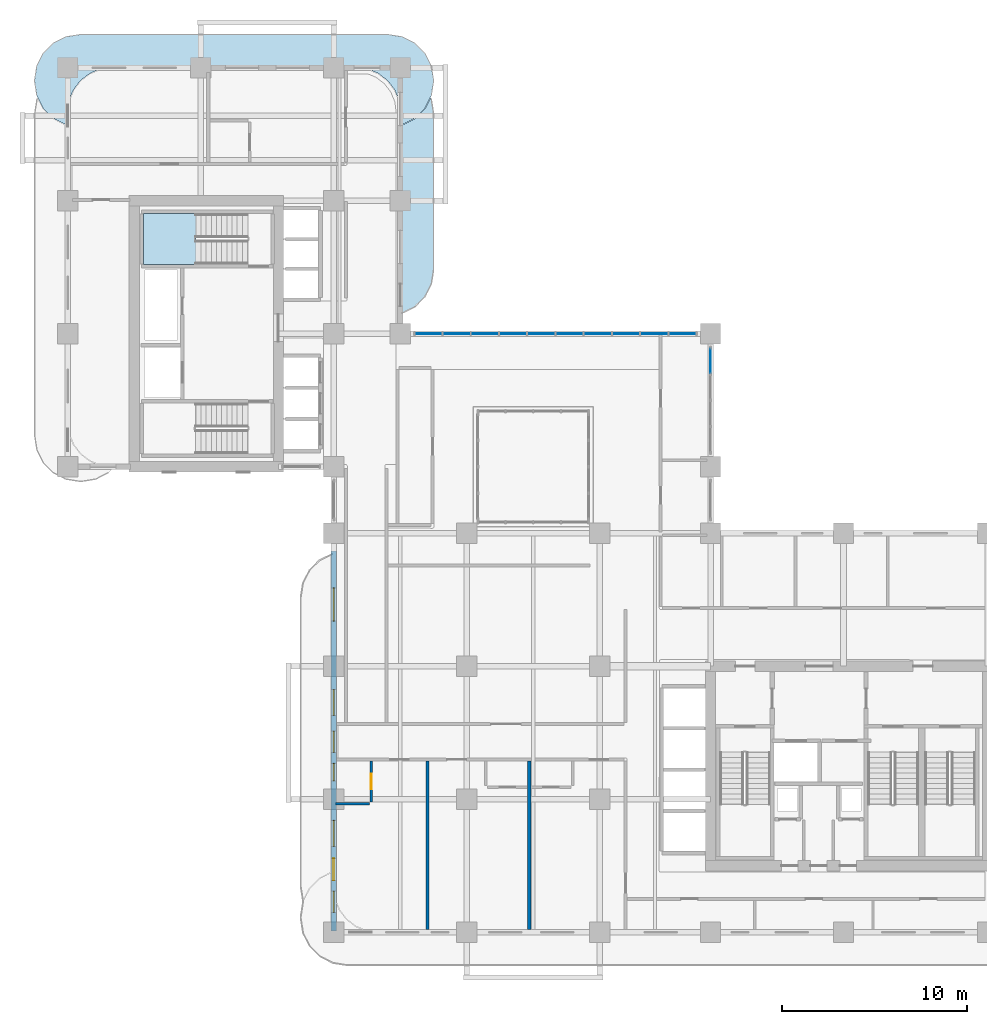
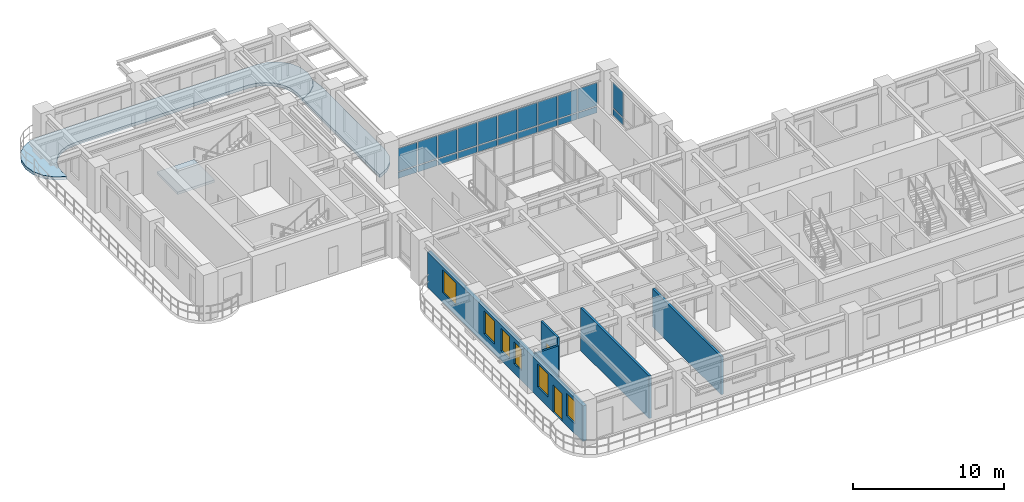
# One storey, part 11 of 22: 22 plates, 6 windows, 5 walls, 3 slabs, 2 doors, 8 openings, 3 elements without a shape of their own.
"""IFC4 building model written with IfcOpenShell, lengths in metres."""

from ifc_helpers import new_model, si_unit, derived_unit, direction, frame, frame_2d, origin, origin_2d, place, context, subcontext, project, spatial, polyline, rectangle, outline, extrude, source, transform, mapped, material, layer, layer_set, type_object, type_shapes, element, fill, aggregate, save


model = new_model("IFC4")

# Units and contexts
model_context = context("Model", 3, precision=1e-05, world=origin(), true_north=direction((0.0, 1.0)))
body_context = subcontext(model_context, "Body", "Model", "MODEL_VIEW")
ifc_project = project(units=[si_unit("LENGTHUNIT", "METRE"), si_unit("AREAUNIT", "SQUARE_METRE"), si_unit("VOLUMEUNIT", "CUBIC_METRE"), si_unit("PLANEANGLEUNIT", "RADIAN"), si_unit("MASSUNIT", "GRAM", prefix="KILO"), si_unit("THERMODYNAMICTEMPERATUREUNIT", "KELVIN"), si_unit("POWERUNIT", "WATT"), derived_unit("THERMALTRANSMITTANCEUNIT", [(si_unit("POWERUNIT", "WATT"), 1), (si_unit("AREAUNIT", "SQUARE_METRE"), -1), (si_unit("THERMODYNAMICTEMPERATUREUNIT", "KELVIN"), -1)])], contexts=[model_context])

# Site, building, storey
site_placement = place(None, origin())
site = spatial("IfcSite", under=ifc_project, at=site_placement, CompositionType="ELEMENT")
building_placement = place(site_placement, origin())
building = spatial("IfcBuilding", under=site, at=building_placement, Name="Zahravan Archway Hotel and Residences", CompositionType="ELEMENT")
storey_placement = place(building_placement, frame((0.0, 0.0, 80.5)))
storey = spatial("IfcBuildingStorey", under=building, at=storey_placement, Name="L19", CompositionType="ELEMENT", Elevation=80.5)

# Slabs
ifc_material_1 = material(Name="Concrete C45/55", Category="concrete")
ifc_layer_1 = layer(ifc_material_1, 0.25, Name="Concrete C45/55", Category="concrete")
ifc_layer_set_1 = layer_set([ifc_layer_1], Name="Concrete C45/55")
slab_type_1 = type_object("IfcSlabType", Name="SLB-BALC-250", PredefinedType="FLOOR", material=ifc_layer_set_1)
slab_1_placement = place(storey_placement, frame((0.0, 0.0, -0.25)))
element("IfcSlab", 1, at=slab_1_placement, inside=storey, type_object=slab_type_1, Name="L19 Wing B North Rounded Balcony Band", PredefinedType="FLOOR", context=body_context, shape_type="SweptSolid", body=[
    extrude(outline(polyline([(-0.107177734375, 43.719970703125), (-0.7900390625, 44.06787109375), (-1.33203125, 44.60986328125), (-1.68017578125, 45.29296875), (-1.800048828125, 46.050048828125), (-1.800048828125, 46.14990234375), (-1.68017578125, 46.906982421875), (-1.33203125, 47.590087890625), (-0.7900390625, 48.132080078125), (-0.107177734375, 48.47998046875), (0.64990234375, 48.60009765625), (17.35009765625, 48.60009765625), (18.107177734375, 48.47998046875), (18.7900390625, 48.132080078125), (19.33203125, 47.590087890625), (19.68017578125, 46.906982421875), (19.800048828125, 46.14990234375), (19.800048828125, 46.050048828125), (19.68017578125, 45.29296875), (19.33203125, 44.60986328125), (18.7900390625, 44.06787109375), (18.107177734375, 43.719970703125), (18.02001953125, 43.7060546875), (18.02001953125, 44.39990234375), (18.019775390625, 44.402587890625), (17.93798828125, 45.023681640625), (17.937744140625, 45.025390625), (17.937255859375, 45.027099609375), (17.936767578125, 45.02880859375), (17.697021484375, 45.607666015625), (17.6962890625, 45.609130859375), (17.6953125, 45.610595703125), (17.6943359375, 45.6123046875), (17.31298828125, 46.109375), (17.311767578125, 46.110595703125), (17.310546875, 46.11181640625), (17.309326171875, 46.113037109375), (16.812255859375, 46.494384765625), (16.810791015625, 46.495361328125), (16.80908203125, 46.49609375), (16.8076171875, 46.4970703125), (16.22900390625, 46.73681640625), (16.227294921875, 46.7373046875), (16.2255859375, 46.73779296875), (16.223876953125, 46.738037109375), (15.6025390625, 46.81982421875), (15.60009765625, 46.820068359375), (2.39990234375, 46.820068359375), (2.3974609375, 46.81982421875), (1.776123046875, 46.738037109375), (1.7744140625, 46.73779296875), (1.772705078125, 46.7373046875), (1.77099609375, 46.73681640625), (1.1923828125, 46.4970703125), (1.19091796875, 46.49609375), (1.189208984375, 46.495361328125), (1.187744140625, 46.494384765625), (0.690673828125, 46.113037109375), (0.689453125, 46.11181640625), (0.688232421875, 46.110595703125), (0.68701171875, 46.109375), (0.3056640625, 45.6123046875), (0.3046875, 45.610595703125), (0.3037109375, 45.609130859375), (0.302978515625, 45.607666015625), (0.063232421875, 45.02880859375), (0.062744140625, 45.027099609375), (0.062255859375, 45.025390625), (0.06201171875, 45.023681640625), (-0.019775390625, 44.402587890625), (-0.02001953125, 44.39990234375), (-0.02001953125, 43.7060546875), (-0.107177734375, 43.719970703125)])), origin(), (0.0, 0.0, 1.0), 0.25),
])
slab_2_placement = place(storey_placement, frame((0.0, 0.0, -0.25)))
element("IfcSlab", 2, at=slab_2_placement, inside=storey, type_object=slab_type_1, Name="L19 Wing B East Rounded Balcony Band", PredefinedType="FLOOR", context=body_context, shape_type="SweptSolid", body=[
    extrude(outline(polyline([(19.68017578125, 45.107177734375), (19.800048828125, 44.35009765625), (19.800048828125, 35.85009765625), (19.68017578125, 35.093017578125), (19.33203125, 34.409912109375), (18.7900390625, 33.867919921875), (18.107177734375, 33.52001953125), (18.02001953125, 33.506103515625), (18.02001953125, 43.68603515625), (18.021240234375, 43.68603515625), (18.023193359375, 43.686279296875), (18.110107421875, 43.7001953125), (18.1123046875, 43.70068359375), (18.1142578125, 43.701171875), (18.1162109375, 43.7021484375), (18.79931640625, 44.050048828125), (18.801025390625, 44.051025390625), (18.802734375, 44.052490234375), (18.80419921875, 44.0537109375), (19.34619140625, 44.595703125), (19.34765625, 44.597412109375), (19.348876953125, 44.59912109375), (19.349853515625, 44.600830078125), (19.64404296875, 45.177978515625), (19.68017578125, 45.107177734375)])), origin(), (0.0, 0.0, 1.0), 0.25),
])

# Stair, slab
ifc_material_2 = material(Name="Concrete C50/60", Category="concrete")
stair_type = type_object("IfcStairType", Name="STR-CORE-1300", PredefinedType="HALF_TURN_STAIR", material=ifc_material_2)
stair_placement = place(storey_placement, origin())
stair = element("IfcStair", 3, at=stair_placement, inside=storey, type_object=stair_type, Name="L19 Core B Exit Stair 2", PredefinedType="HALF_TURN_STAIR")
ifc_layer_2 = layer(ifc_material_2, 0.199951171875, Name="Concrete C50/60", Category="concrete")
ifc_layer_set_2 = layer_set([ifc_layer_2], Name="Concrete C50/60")
slab_type_2 = type_object("IfcSlabType", Name="SLB-LND-200", PredefinedType="LANDING", material=ifc_layer_set_2)
slab_3_placement = place(storey_placement, frame((0.0, 0.0, 1.64990234375)))
slab_3 = element("IfcSlab", 4, at=slab_3_placement, type_object=slab_type_2, Name="ST-B2 landing 1", PredefinedType="LANDING", context=body_context, shape_type="SweptSolid", body=[
    extrude(outline(polyline([(6.929931640625, 38.89990234375), (4.10009765625, 38.89990234375), (4.10009765625, 36.159912109375), (6.929931640625, 36.159912109375), (6.929931640625, 38.89990234375)])), origin(), (0.0, 0.0, 1.0), 0.2001953125),
])
aggregate(stair, [slab_3])

# Curtain wall, plates
ifc_material_3 = material(Name="Bronze-Anodized Unitised Aluminium & Low-E Glass", Category="aluminium")
ifc_layer_3 = layer(ifc_material_3, 0.179931640625, Name="Bronze-Anodized Unitised Aluminium & Low-E Glass", Category="aluminium")
ifc_layer_set_3 = layer_set([ifc_layer_3], Name="Bronze-Anodized Unitised Aluminium & Low-E Glass")
curtain_wall_type = type_object("IfcCurtainWallType", Name="CW-ATR-GLAZ", PredefinedType="NOTDEFINED", material=ifc_layer_set_3)
curtain_wall_1_placement = place(storey_placement, origin())
curtain_wall_1 = element("IfcCurtainWall", 5, at=curtain_wall_1_placement, inside=storey, type_object=curtain_wall_type, Name="L19 Curtain Wall CW-L19-HNG-E-2", PredefinedType="NOTDEFINED")
ifc_material_4 = material(Name="Insulated Terracotta Spandrel Panel", Category="masonry")
ifc_layer_4 = layer(ifc_material_4, 0.0400390625, Name="Insulated Terracotta Spandrel Panel", Category="masonry")
ifc_layer_set_4 = layer_set([ifc_layer_4], Name="Insulated Terracotta Spandrel Panel")
plate_type_1 = type_object("IfcPlateType", Name="CWP-SPN-40", PredefinedType="SHEET", material=ifc_layer_set_4)
shared_shape_1 = source(origin(), body_context, "Body", "SweptSolid", [
    extrude(rectangle(XDim=1.340087890625, YDim=0.0400390625, at=origin_2d()), origin(), (0.0, 0.0, 1.0), 0.552490234375),
])
plate_1_placement = place(storey_placement, frame((34.800048828125, 30.929931640625, 0.10009765625), z_axis=(0.0, 0.0, 1.0), x_axis=(0.0, 1.0, 0.0)))
plate_1 = element("IfcPlate", 6, at=plate_1_placement, type_object=plate_type_1, Name="CW-L19-HNG-E-2 Spandrel Panel 3", PredefinedType="SHEET", context=body_context, shape_type="MappedRepresentation", body=[
    mapped(shared_shape_1, transform((0.0, 0.0, 0.0), scale=1.0)),
])
ifc_material_5 = material(Name="Double-Silver Low-E Insulated Vision Glass", Category="glass")
ifc_layer_5 = layer(ifc_material_5, 0.028076171875, Name="Double-Silver Low-E Insulated Vision Glass", Category="glass")
ifc_layer_set_5 = layer_set([ifc_layer_5], Name="Double-Silver Low-E Insulated Vision Glass")
plate_type_2 = type_object("IfcPlateType", Name="CWP-GLZ-28", PredefinedType="CURTAIN_PANEL", material=ifc_layer_set_5)
shared_shape_2 = source(origin(), body_context, "Body", "SweptSolid", [
    extrude(rectangle(XDim=1.340087890625, YDim=0.028076171875, at=origin_2d()), origin(), (0.0, 0.0, 1.0), 2.052490234375),
])
plate_2_placement = place(storey_placement, frame((34.800048828125, 30.929931640625, 0.732421875), z_axis=(0.0, 0.0, 1.0), x_axis=(0.0, 1.0, 0.0)))
plate_2 = element("IfcPlate", 7, at=plate_2_placement, type_object=plate_type_2, Name="CW-L19-HNG-E-2 Low-E Vision Panel 3", PredefinedType="CURTAIN_PANEL", context=body_context, shape_type="MappedRepresentation", body=[
    mapped(shared_shape_2, transform((0.0, 0.0, 0.0), scale=1.0)),
])
aggregate(curtain_wall_1, [plate_1, plate_2])

curtain_wall_2_placement = place(storey_placement, origin())
curtain_wall_2 = element("IfcCurtainWall", 8, at=curtain_wall_2_placement, inside=storey, type_object=curtain_wall_type, Name="L19 Curtain Wall CW-L19-HNG-N-1", PredefinedType="NOTDEFINED")
shared_shape_3 = source(origin(), body_context, "Body", "SweptSolid", [
    extrude(rectangle(XDim=1.447998046875, YDim=0.0400390625, at=origin_2d()), origin(), (0.0, 0.0, 1.0), 0.492431640625),
])
plate_3_placement = place(storey_placement, frame((19.52392578125, 32.39990234375, 0.10009765625), z_axis=(0.0, 0.0, 1.0), x_axis=(1.0, 0.0, 0.0)))
plate_3 = element("IfcPlate", 9, at=plate_3_placement, type_object=plate_type_1, Name="CW-L19-HNG-N-1 Spandrel Panel 0", PredefinedType="SHEET", context=body_context, shape_type="MappedRepresentation", body=[
    mapped(shared_shape_3, transform((0.0, 0.0, 0.0), scale=1.0)),
])
plate_4_placement = place(storey_placement, frame((21.052001953125, 32.39990234375, 0.10009765625), z_axis=(0.0, 0.0, 1.0), x_axis=(1.0, 0.0, 0.0)))
plate_4 = element("IfcPlate", 10, at=plate_4_placement, type_object=plate_type_1, Name="CW-L19-HNG-N-1 Spandrel Panel 1", PredefinedType="SHEET", context=body_context, shape_type="MappedRepresentation", body=[
    mapped(shared_shape_3, transform((0.0, 0.0, 0.0), scale=1.0)),
])
plate_5_placement = place(storey_placement, frame((22.580078125, 32.39990234375, 0.10009765625), z_axis=(0.0, 0.0, 1.0), x_axis=(1.0, 0.0, 0.0)))
plate_5 = element("IfcPlate", 11, at=plate_5_placement, type_object=plate_type_1, Name="CW-L19-HNG-N-1 Spandrel Panel 2", PredefinedType="SHEET", context=body_context, shape_type="MappedRepresentation", body=[
    mapped(shared_shape_3, transform((0.0, 0.0, 0.0), scale=1.0)),
])
plate_6_placement = place(storey_placement, frame((24.10791015625, 32.39990234375, 0.10009765625), z_axis=(0.0, 0.0, 1.0), x_axis=(1.0, 0.0, 0.0)))
plate_6 = element("IfcPlate", 12, at=plate_6_placement, type_object=plate_type_1, Name="CW-L19-HNG-N-1 Spandrel Panel 3", PredefinedType="SHEET", context=body_context, shape_type="MappedRepresentation", body=[
    mapped(shared_shape_3, transform((0.0, 0.0, 0.0), scale=1.0)),
])
plate_7_placement = place(storey_placement, frame((25.635986328125, 32.39990234375, 0.10009765625), z_axis=(0.0, 0.0, 1.0), x_axis=(1.0, 0.0, 0.0)))
plate_7 = element("IfcPlate", 13, at=plate_7_placement, type_object=plate_type_1, Name="CW-L19-HNG-N-1 Spandrel Panel 4", PredefinedType="SHEET", context=body_context, shape_type="MappedRepresentation", body=[
    mapped(shared_shape_3, transform((0.0, 0.0, 0.0), scale=1.0)),
])
plate_8_placement = place(storey_placement, frame((27.1640625, 32.39990234375, 0.10009765625), z_axis=(0.0, 0.0, 1.0), x_axis=(1.0, 0.0, 0.0)))
plate_8 = element("IfcPlate", 14, at=plate_8_placement, type_object=plate_type_1, Name="CW-L19-HNG-N-1 Spandrel Panel 5", PredefinedType="SHEET", context=body_context, shape_type="MappedRepresentation", body=[
    mapped(shared_shape_3, transform((0.0, 0.0, 0.0), scale=1.0)),
])
plate_9_placement = place(storey_placement, frame((28.69189453125, 32.39990234375, 0.10009765625), z_axis=(0.0, 0.0, 1.0), x_axis=(1.0, 0.0, 0.0)))
plate_9 = element("IfcPlate", 15, at=plate_9_placement, type_object=plate_type_1, Name="CW-L19-HNG-N-1 Spandrel Panel 6", PredefinedType="SHEET", context=body_context, shape_type="MappedRepresentation", body=[
    mapped(shared_shape_3, transform((0.0, 0.0, 0.0), scale=1.0)),
])
plate_10_placement = place(storey_placement, frame((30.219970703125, 32.39990234375, 0.10009765625), z_axis=(0.0, 0.0, 1.0), x_axis=(1.0, 0.0, 0.0)))
plate_10 = element("IfcPlate", 16, at=plate_10_placement, type_object=plate_type_1, Name="CW-L19-HNG-N-1 Spandrel Panel 7", PredefinedType="SHEET", context=body_context, shape_type="MappedRepresentation", body=[
    mapped(shared_shape_3, transform((0.0, 0.0, 0.0), scale=1.0)),
])
plate_11_placement = place(storey_placement, frame((31.748046875, 32.39990234375, 0.10009765625), z_axis=(0.0, 0.0, 1.0), x_axis=(1.0, 0.0, 0.0)))
plate_11 = element("IfcPlate", 17, at=plate_11_placement, type_object=plate_type_1, Name="CW-L19-HNG-N-1 Spandrel Panel 8", PredefinedType="SHEET", context=body_context, shape_type="MappedRepresentation", body=[
    mapped(shared_shape_3, transform((0.0, 0.0, 0.0), scale=1.0)),
])
plate_12_placement = place(storey_placement, frame((33.27587890625, 32.39990234375, 0.10009765625), z_axis=(0.0, 0.0, 1.0), x_axis=(1.0, 0.0, 0.0)))
plate_12 = element("IfcPlate", 18, at=plate_12_placement, type_object=plate_type_1, Name="CW-L19-HNG-N-1 Spandrel Panel 9", PredefinedType="SHEET", context=body_context, shape_type="MappedRepresentation", body=[
    mapped(shared_shape_3, transform((0.0, 0.0, 0.0), scale=1.0)),
])
shared_shape_4 = source(origin(), body_context, "Body", "SweptSolid", [
    extrude(rectangle(XDim=1.447998046875, YDim=0.028076171875, at=origin_2d()), origin(), (0.0, 0.0, 1.0), 1.862548828125),
])
plate_13_placement = place(storey_placement, frame((19.52392578125, 32.39990234375, 0.67236328125), z_axis=(0.0, 0.0, 1.0), x_axis=(1.0, 0.0, 0.0)))
plate_13 = element("IfcPlate", 19, at=plate_13_placement, type_object=plate_type_2, Name="CW-L19-HNG-N-1 Low-E Vision Panel 0", PredefinedType="CURTAIN_PANEL", context=body_context, shape_type="MappedRepresentation", body=[
    mapped(shared_shape_4, transform((0.0, 0.0, 0.0), scale=1.0)),
])
plate_14_placement = place(storey_placement, frame((21.052001953125, 32.39990234375, 0.67236328125), z_axis=(0.0, 0.0, 1.0), x_axis=(1.0, 0.0, 0.0)))
plate_14 = element("IfcPlate", 20, at=plate_14_placement, type_object=plate_type_2, Name="CW-L19-HNG-N-1 Low-E Vision Panel 1", PredefinedType="CURTAIN_PANEL", context=body_context, shape_type="MappedRepresentation", body=[
    mapped(shared_shape_4, transform((0.0, 0.0, 0.0), scale=1.0)),
])
plate_15_placement = place(storey_placement, frame((22.580078125, 32.39990234375, 0.67236328125), z_axis=(0.0, 0.0, 1.0), x_axis=(1.0, 0.0, 0.0)))
plate_15 = element("IfcPlate", 21, at=plate_15_placement, type_object=plate_type_2, Name="CW-L19-HNG-N-1 Low-E Vision Panel 2", PredefinedType="CURTAIN_PANEL", context=body_context, shape_type="MappedRepresentation", body=[
    mapped(shared_shape_4, transform((0.0, 0.0, 0.0), scale=1.0)),
])
plate_16_placement = place(storey_placement, frame((24.10791015625, 32.39990234375, 0.67236328125), z_axis=(0.0, 0.0, 1.0), x_axis=(1.0, 0.0, 0.0)))
plate_16 = element("IfcPlate", 22, at=plate_16_placement, type_object=plate_type_2, Name="CW-L19-HNG-N-1 Low-E Vision Panel 3", PredefinedType="CURTAIN_PANEL", context=body_context, shape_type="MappedRepresentation", body=[
    mapped(shared_shape_4, transform((0.0, 0.0, 0.0), scale=1.0)),
])
plate_17_placement = place(storey_placement, frame((25.635986328125, 32.39990234375, 0.67236328125), z_axis=(0.0, 0.0, 1.0), x_axis=(1.0, 0.0, 0.0)))
plate_17 = element("IfcPlate", 23, at=plate_17_placement, type_object=plate_type_2, Name="CW-L19-HNG-N-1 Low-E Vision Panel 4", PredefinedType="CURTAIN_PANEL", context=body_context, shape_type="MappedRepresentation", body=[
    mapped(shared_shape_4, transform((0.0, 0.0, 0.0), scale=1.0)),
])
plate_18_placement = place(storey_placement, frame((27.1640625, 32.39990234375, 0.67236328125), z_axis=(0.0, 0.0, 1.0), x_axis=(1.0, 0.0, 0.0)))
plate_18 = element("IfcPlate", 24, at=plate_18_placement, type_object=plate_type_2, Name="CW-L19-HNG-N-1 Low-E Vision Panel 5", PredefinedType="CURTAIN_PANEL", context=body_context, shape_type="MappedRepresentation", body=[
    mapped(shared_shape_4, transform((0.0, 0.0, 0.0), scale=1.0)),
])
plate_19_placement = place(storey_placement, frame((28.69189453125, 32.39990234375, 0.67236328125), z_axis=(0.0, 0.0, 1.0), x_axis=(1.0, 0.0, 0.0)))
plate_19 = element("IfcPlate", 25, at=plate_19_placement, type_object=plate_type_2, Name="CW-L19-HNG-N-1 Low-E Vision Panel 6", PredefinedType="CURTAIN_PANEL", context=body_context, shape_type="MappedRepresentation", body=[
    mapped(shared_shape_4, transform((0.0, 0.0, 0.0), scale=1.0)),
])
plate_20_placement = place(storey_placement, frame((30.219970703125, 32.39990234375, 0.67236328125), z_axis=(0.0, 0.0, 1.0), x_axis=(1.0, 0.0, 0.0)))
plate_20 = element("IfcPlate", 26, at=plate_20_placement, type_object=plate_type_2, Name="CW-L19-HNG-N-1 Low-E Vision Panel 7", PredefinedType="CURTAIN_PANEL", context=body_context, shape_type="MappedRepresentation", body=[
    mapped(shared_shape_4, transform((0.0, 0.0, 0.0), scale=1.0)),
])
plate_21_placement = place(storey_placement, frame((31.748046875, 32.39990234375, 0.67236328125), z_axis=(0.0, 0.0, 1.0), x_axis=(1.0, 0.0, 0.0)))
plate_21 = element("IfcPlate", 27, at=plate_21_placement, type_object=plate_type_2, Name="CW-L19-HNG-N-1 Low-E Vision Panel 8", PredefinedType="CURTAIN_PANEL", context=body_context, shape_type="MappedRepresentation", body=[
    mapped(shared_shape_4, transform((0.0, 0.0, 0.0), scale=1.0)),
])
plate_22_placement = place(storey_placement, frame((33.27587890625, 32.39990234375, 0.67236328125), z_axis=(0.0, 0.0, 1.0), x_axis=(1.0, 0.0, 0.0)))
plate_22 = element("IfcPlate", 28, at=plate_22_placement, type_object=plate_type_2, Name="CW-L19-HNG-N-1 Low-E Vision Panel 9", PredefinedType="CURTAIN_PANEL", context=body_context, shape_type="MappedRepresentation", body=[
    mapped(shared_shape_4, transform((0.0, 0.0, 0.0), scale=1.0)),
])
aggregate(curtain_wall_2, [plate_3, plate_13, plate_4, plate_14, plate_5, plate_15, plate_6, plate_16, plate_7, plate_17, plate_8, plate_18, plate_9, plate_19, plate_10, plate_20, plate_11, plate_21, plate_12, plate_22])

# Wall, openings, door, windows
ifc_material_6 = material(Name="Honed Red-Ochre Sandstone & Insulated Block", Category="masonry")
ifc_layer_6 = layer(ifc_material_6, 0.280029296875, Name="Honed Red-Ochre Sandstone & Insulated Block", Category="masonry")
ifc_layer_set_6 = layer_set([ifc_layer_6], Name="Honed Red-Ochre Sandstone & Insulated Block")
wall_type_1 = type_object("IfcWallType", Name="EW-LOG-280", PredefinedType="SOLIDWALL", material=ifc_layer_set_6)
wall_1_placement = place(storey_placement, frame((14.39990234375, 0.050048828125, 0.0), z_axis=(0.0, 0.0, 1.0), x_axis=(0.0, 1.0, 0.0)))
wall_1 = element("IfcWall", 29, at=wall_1_placement, inside=storey, type_object=wall_type_1, Name="L19 Exterior Sandstone Wall WA-WL", PredefinedType="SOLIDWALL", context=body_context, shape_type="SweptSolid", body=[
    extrude(rectangle(XDim=20.599853515625, YDim=0.280029296875, at=frame_2d((10.2998046875, 0.0))), origin(), (0.0, 0.0, 1.0), 2.885009765625),
])
opening_1_placement = place(wall_1_placement, frame((2.75, 0.0, 0.0)))
opening_1 = element("IfcOpeningElement", 30, at=opening_1_placement, cuts=wall_1, Name="Opening ED-BL1", PredefinedType="OPENING", context=body_context, shape_type="SweptSolid", body=[
    extrude(rectangle(XDim=1.199951171875, YDim=2.199951171875, at=frame_2d((0.60009765625, 1.10009765625))), frame((0.0, 0.14990234375, 0.0), z_axis=(0.0, -1.0, 0.0), x_axis=(1.0, 0.0, 0.0)), (0.0, 0.0, 1.0), 0.300048828125),
])
opening_2_placement = place(wall_1_placement, frame((1.02490234375, 0.0, 0.800048828125)))
opening_2 = element("IfcOpeningElement", 31, at=opening_2_placement, cuts=wall_1, Name="Opening W-05", PredefinedType="OPENING", context=body_context, shape_type="SweptSolid", body=[
    extrude(rectangle(XDim=1.14990234375, YDim=1.800048828125, at=frame_2d((0.574951171875, 0.89990234375))), frame((0.0, 0.14990234375, 0.0), z_axis=(0.0, -1.0, 0.0), x_axis=(1.0, 0.0, 0.0)), (0.0, 0.0, 1.0), 0.300048828125),
])
opening_3_placement = place(wall_1_placement, frame((4.60009765625, 0.0, 0.800048828125)))
opening_3 = element("IfcOpeningElement", 32, at=opening_3_placement, cuts=wall_1, Name="Opening W-03", PredefinedType="OPENING", context=body_context, shape_type="SweptSolid", body=[
    extrude(rectangle(XDim=1.39990234375, YDim=1.85009765625, at=frame_2d((0.699951171875, 0.925048828125))), frame((0.0, 0.14990234375, 0.0), z_axis=(0.0, -1.0, 0.0), x_axis=(1.0, 0.0, 0.0)), (0.0, 0.0, 1.0), 0.300048828125),
])
opening_4_placement = place(wall_1_placement, frame((8.14599609375, 0.0, 0.800048828125)))
opening_4 = element("IfcOpeningElement", 33, at=opening_4_placement, cuts=wall_1, Name="Opening W-04", PredefinedType="OPENING", context=body_context, shape_type="SweptSolid", body=[
    extrude(rectangle(XDim=0.949951171875, YDim=1.75, at=frame_2d((0.47509765625, 0.875))), frame((0.0, 0.14990234375, 0.0), z_axis=(0.0, -1.0, 0.0), x_axis=(1.0, 0.0, 0.0)), (0.0, 0.0, 1.0), 0.300048828125),
])
opening_5_placement = place(wall_1_placement, frame((9.68505859375, 0.0, 0.800048828125)))
opening_5 = element("IfcOpeningElement", 34, at=opening_5_placement, cuts=wall_1, Name="Opening W-05", PredefinedType="OPENING", context=body_context, shape_type="SweptSolid", body=[
    extrude(rectangle(XDim=1.14990234375, YDim=1.800048828125, at=frame_2d((0.574951171875, 0.89990234375))), frame((0.0, 0.14990234375, 0.0), z_axis=(0.0, -1.0, 0.0), x_axis=(1.0, 0.0, 0.0)), (0.0, 0.0, 1.0), 0.300048828125),
])
opening_6_placement = place(wall_1_placement, frame((11.68896484375, 0.0, 0.800048828125)))
opening_6 = element("IfcOpeningElement", 35, at=opening_6_placement, cuts=wall_1, Name="Opening W-03", PredefinedType="OPENING", context=body_context, shape_type="SweptSolid", body=[
    extrude(rectangle(XDim=1.39990234375, YDim=1.85009765625, at=frame_2d((0.699951171875, 0.925048828125))), frame((0.0, 0.14990234375, 0.0), z_axis=(0.0, -1.0, 0.0), x_axis=(1.0, 0.0, 0.0)), (0.0, 0.0, 1.0), 0.300048828125),
])
opening_7_placement = place(wall_1_placement, frame((16.7900390625, 0.0, 0.800048828125)))
opening_7 = element("IfcOpeningElement", 36, at=opening_7_placement, cuts=wall_1, Name="Opening W-02", PredefinedType="OPENING", context=body_context, shape_type="SweptSolid", body=[
    extrude(rectangle(XDim=1.800048828125, YDim=1.85009765625, at=frame_2d((0.89990234375, 0.925048828125))), frame((0.0, 0.14990234375, 0.0), z_axis=(0.0, -1.0, 0.0), x_axis=(1.0, 0.0, 0.0)), (0.0, 0.0, 1.0), 0.300048828125),
])
ifc_material_7 = material(Name="Bronze-Anodized Glazed Aluminium", Category="aluminium")
door_type_1 = type_object("IfcDoorType", Name="ED-BALC-1200", OperationType="SLIDING_TO_LEFT", PredefinedType="DOOR", material=ifc_material_7)
shared_shape_5 = source(origin(), body_context, "Body", "SweptSolid", [
    extrude(rectangle(XDim=1.199951171875, YDim=2.199951171875, at=frame_2d((0.60009765625, 1.10009765625))), frame((0.0, 0.02490234375, 0.0), z_axis=(0.0, -1.0, 0.0), x_axis=(1.0, 0.0, 0.0)), (0.0, 0.0, 1.0), 0.050048828125),
])
type_shapes(door_type_1, [shared_shape_5])
door_1_placement = place(opening_1_placement, origin())
door_1 = element("IfcDoor", 37, at=door_1_placement, inside=storey, type_object=door_type_1, Name="L19 Outdoor Access Sliding Door (SLB-BAL-L19-WA)", OperationType="SLIDING_TO_LEFT", OverallHeight=2.199951171875, OverallWidth=1.199951171875, PredefinedType="DOOR", context=body_context, shape_type="MappedRepresentation", body=[
    mapped(shared_shape_5, transform((0.0, 0.0, 0.0), scale=1.0)),
])
fill(opening_1, door_1)
ifc_material_8 = material(Name="Bronze-Anodized Thermal-Break Aluminium & Low-E Glass", Category="aluminium")
window_type_1 = type_object("IfcWindowType", Name="WIN-TWR-1400", PartitioningType="SINGLE_PANEL", PredefinedType="WINDOW", material=ifc_material_8)
shared_shape_6 = source(origin(), body_context, "Body", "SweptSolid", [
    extrude(rectangle(XDim=1.39990234375, YDim=1.85009765625, at=frame_2d((0.699951171875, 0.925048828125))), frame((0.0, 0.030029296875, 0.0), z_axis=(0.0, -1.0, 0.0), x_axis=(1.0, 0.0, 0.0)), (0.0, 0.0, 1.0), 0.06005859375),
])
type_shapes(window_type_1, [shared_shape_6])
window_1_placement = place(opening_3_placement, origin())
window_1 = element("IfcWindow", 38, at=window_1_placement, inside=storey, type_object=window_type_1, Name="L19 Loggia Window 24", OverallHeight=1.85009765625, OverallWidth=1.39990234375, PartitioningType="SINGLE_PANEL", PredefinedType="WINDOW", context=body_context, shape_type="MappedRepresentation", body=[
    mapped(shared_shape_6, transform((0.0, 0.0, 0.0), scale=1.0)),
])
fill(opening_3, window_1)
window_2_placement = place(opening_6_placement, origin())
window_2 = element("IfcWindow", 39, at=window_2_placement, inside=storey, type_object=window_type_1, Name="L19 Loggia Window 27", OverallHeight=1.85009765625, OverallWidth=1.39990234375, PartitioningType="SINGLE_PANEL", PredefinedType="WINDOW", context=body_context, shape_type="MappedRepresentation", body=[
    mapped(shared_shape_6, transform((0.0, 0.0, 0.0), scale=1.0)),
])
fill(opening_6, window_2)
window_type_2 = type_object("IfcWindowType", Name="WIN-NAR-950", PartitioningType="SINGLE_PANEL", PredefinedType="WINDOW", material=ifc_material_8)
shared_shape_7 = source(origin(), body_context, "Body", "SweptSolid", [
    extrude(rectangle(XDim=0.949951171875, YDim=1.75, at=frame_2d((0.47509765625, 0.875))), frame((0.0, 0.030029296875, 0.0), z_axis=(0.0, -1.0, 0.0), x_axis=(1.0, 0.0, 0.0)), (0.0, 0.0, 1.0), 0.06005859375),
])
type_shapes(window_type_2, [shared_shape_7])
window_3_placement = place(opening_4_placement, origin())
window_3 = element("IfcWindow", 40, at=window_3_placement, inside=storey, type_object=window_type_2, Name="L19 Loggia Window 25", OverallHeight=1.75, OverallWidth=0.949951171875, PartitioningType="SINGLE_PANEL", PredefinedType="WINDOW", context=body_context, shape_type="MappedRepresentation", body=[
    mapped(shared_shape_7, transform((0.0, 0.0, 0.0), scale=1.0)),
])
fill(opening_4, window_3)
window_type_3 = type_object("IfcWindowType", Name="WIN-TWR-1800", PartitioningType="DOUBLE_PANEL_VERTICAL", PredefinedType="WINDOW", material=ifc_material_8)
shared_shape_8 = source(origin(), body_context, "Body", "SweptSolid", [
    extrude(rectangle(XDim=1.800048828125, YDim=1.85009765625, at=frame_2d((0.89990234375, 0.925048828125))), frame((0.0, 0.030029296875, 0.0), z_axis=(0.0, -1.0, 0.0), x_axis=(1.0, 0.0, 0.0)), (0.0, 0.0, 1.0), 0.06005859375),
])
type_shapes(window_type_3, [shared_shape_8])
window_4_placement = place(opening_7_placement, origin())
window_4 = element("IfcWindow", 41, at=window_4_placement, inside=storey, type_object=window_type_3, Name="L19 Loggia Window 28", OverallHeight=1.85009765625, OverallWidth=1.800048828125, PartitioningType="DOUBLE_PANEL_VERTICAL", PredefinedType="WINDOW", context=body_context, shape_type="MappedRepresentation", body=[
    mapped(shared_shape_8, transform((0.0, 0.0, 0.0), scale=1.0)),
])
fill(opening_7, window_4)
window_type_4 = type_object("IfcWindowType", Name="WIN-TWR-1150", PartitioningType="SINGLE_PANEL", PredefinedType="WINDOW", material=ifc_material_8)
shared_shape_9 = source(origin(), body_context, "Body", "SweptSolid", [
    extrude(rectangle(XDim=1.14990234375, YDim=1.800048828125, at=frame_2d((0.574951171875, 0.89990234375))), frame((0.0, 0.030029296875, 0.0), z_axis=(0.0, -1.0, 0.0), x_axis=(1.0, 0.0, 0.0)), (0.0, 0.0, 1.0), 0.06005859375),
])
type_shapes(window_type_4, [shared_shape_9])
window_5_placement = place(opening_2_placement, origin())
window_5 = element("IfcWindow", 42, at=window_5_placement, inside=storey, type_object=window_type_4, Name="L19 Loggia Window 23", OverallHeight=1.800048828125, OverallWidth=1.14990234375, PartitioningType="SINGLE_PANEL", PredefinedType="WINDOW", context=body_context, shape_type="MappedRepresentation", body=[
    mapped(shared_shape_9, transform((0.0, 0.0, 0.0), scale=1.0)),
])
fill(opening_2, window_5)
window_6_placement = place(opening_5_placement, origin())
window_6 = element("IfcWindow", 43, at=window_6_placement, inside=storey, type_object=window_type_4, Name="L19 Loggia Window 26", OverallHeight=1.800048828125, OverallWidth=1.14990234375, PartitioningType="SINGLE_PANEL", PredefinedType="WINDOW", context=body_context, shape_type="MappedRepresentation", body=[
    mapped(shared_shape_9, transform((0.0, 0.0, 0.0), scale=1.0)),
])
fill(opening_5, window_6)

# Walls
ifc_material_9 = material(Name="Acoustic Stud Partition")
ifc_layer_7 = layer(ifc_material_9, 0.169921875, Name="Acoustic Stud Partition")
ifc_layer_set_7 = layer_set([ifc_layer_7], Name="Acoustic Stud Partition")
wall_type_2 = type_object("IfcWallType", Name="PW-UNIT-170", PredefinedType="PARTITIONING", material=ifc_layer_set_7)
wall_2_placement = place(storey_placement, frame((19.47998046875, 0.14794921875, 0.0), z_axis=(0.0, 0.0, 1.0), x_axis=(0.0, 1.0, 0.0)))
element("IfcWall", 44, at=wall_2_placement, inside=storey, type_object=wall_type_2, Name="L19 Partition WAS-0A", PredefinedType="PARTITIONING", context=body_context, shape_type="SweptSolid", body=[
    extrude(rectangle(XDim=9.112060546875, YDim=0.169921875, at=frame_2d((4.55615234375, 0.0))), origin(), (0.0, 0.0, 1.0), 3.449951171875),
])
wall_3_placement = place(storey_placement, frame((24.986083984375, 0.14794921875, 0.0), z_axis=(0.0, 0.0, 1.0), x_axis=(0.0, 1.0, 0.0)))
element("IfcWall", 45, at=wall_3_placement, inside=storey, type_object=wall_type_2, Name="L19 Partition WAS-0B", PredefinedType="PARTITIONING", context=body_context, shape_type="SweptSolid", body=[
    extrude(rectangle(XDim=9.112060546875, YDim=0.169921875, at=frame_2d((4.55615234375, 0.0))), origin(), (0.0, 0.0, 1.0), 3.074951171875),
])

# Wall, opening, door
ifc_material_10 = material(Name="Moisture-Resistant Blockwork", Category="masonry")
ifc_layer_8 = layer(ifc_material_10, 0.139892578125, Name="Moisture-Resistant Blockwork", Category="masonry")
ifc_layer_set_8 = layer_set([ifc_layer_8], Name="Moisture-Resistant Blockwork")
wall_type_3 = type_object("IfcWallType", Name="PW-WET-140", PredefinedType="PARTITIONING", material=ifc_layer_set_8)
wall_4_placement = place(storey_placement, frame((16.431884765625, 7.0400390625, 0.0), z_axis=(0.0, 0.0, 1.0), x_axis=(0.0, 1.0, 0.0)))
wall_4 = element("IfcWall", 46, at=wall_4_placement, inside=storey, type_object=wall_type_3, Name="L19 Partition HKB-V1", PredefinedType="PARTITIONING", context=body_context, shape_type="SweptSolid", body=[
    extrude(rectangle(XDim=2.219970703125, YDim=0.139892578125, at=frame_2d((1.10986328125, 0.0))), origin(), (0.0, 0.0, 1.0), 3.449951171875),
])
opening_8_placement = place(wall_4_placement, frame((0.68505859375, 0.0, 0.0)))
opening_8 = element("IfcOpeningElement", 47, at=opening_8_placement, cuts=wall_4, Name="Opening D-B1", PredefinedType="OPENING", context=body_context, shape_type="SweptSolid", body=[
    extrude(rectangle(XDim=0.85009765625, YDim=2.10009765625, at=frame_2d((0.425048828125, 1.050048828125))), frame((0.0, 0.080078125, 0.0), z_axis=(0.0, -1.0, 0.0), x_axis=(1.0, 0.0, 0.0)), (0.0, 0.0, 1.0), 0.159912109375),
])
ifc_material_11 = material(Name="Hardwood Veneer Timber", Category="wood")
door_type_2 = type_object("IfcDoorType", Name="ID-BATH-850", OperationType="NOTDEFINED", PredefinedType="DOOR", material=ifc_material_11)
shared_shape_10 = source(origin(), body_context, "Body", "SweptSolid", [
    extrude(rectangle(XDim=0.85009765625, YDim=2.10009765625, at=frame_2d((0.425048828125, 1.050048828125))), frame((0.0, 0.02490234375, 0.0), z_axis=(0.0, -1.0, 0.0), x_axis=(1.0, 0.0, 0.0)), (0.0, 0.0, 1.0), 0.050048828125),
])
type_shapes(door_type_2, [shared_shape_10])
door_2_placement = place(opening_8_placement, origin())
door_2 = element("IfcDoor", 48, at=door_2_placement, inside=storey, type_object=door_type_2, Name="L19 Guestroom 1 En-Suite Door", OperationType="SINGLE_SWING_RIGHT", OverallHeight=2.10009765625, OverallWidth=0.85009765625, PredefinedType="DOOR", context=body_context, shape_type="MappedRepresentation", body=[
    mapped(shared_shape_10, transform((0.0, 0.0, 0.0), scale=1.0)),
])
fill(opening_8, door_2)

# Wall
wall_5_placement = place(storey_placement, frame((14.489990234375, 6.949951171875, 0.0), z_axis=(0.0, 0.0, 1.0), x_axis=(1.0, 0.0, 0.0)))
element("IfcWall", 49, at=wall_5_placement, inside=storey, type_object=wall_type_3, Name="L19 Partition HKB-H1", PredefinedType="PARTITIONING", context=body_context, shape_type="SweptSolid", body=[
    extrude(rectangle(XDim=1.85205078125, YDim=0.139892578125, at=frame_2d((0.926025390625, 0.0))), origin(), (0.0, 0.0, 1.0), 2.885009765625),
])

save(model, "model.ifc")
